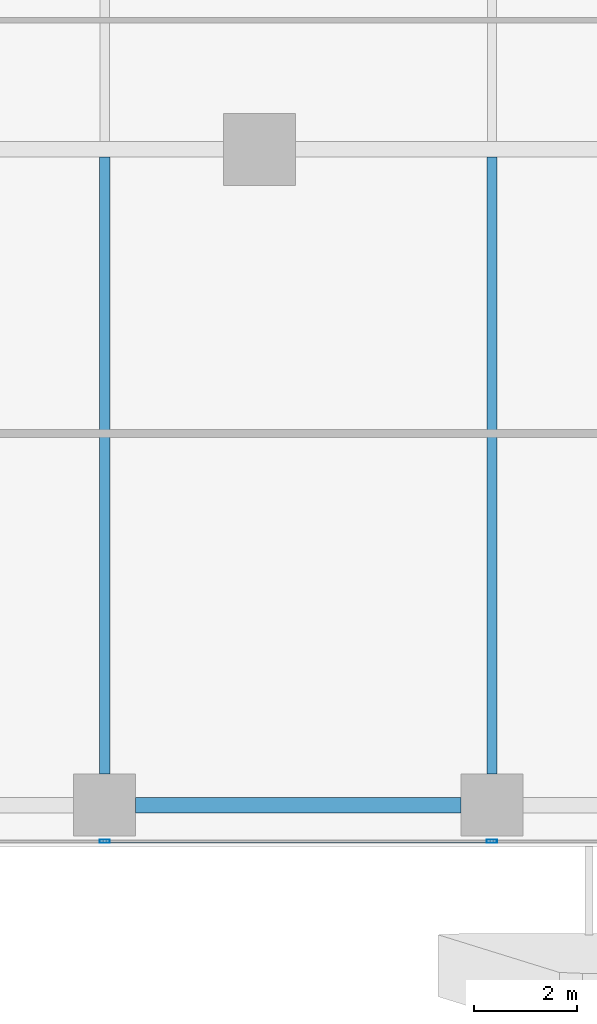
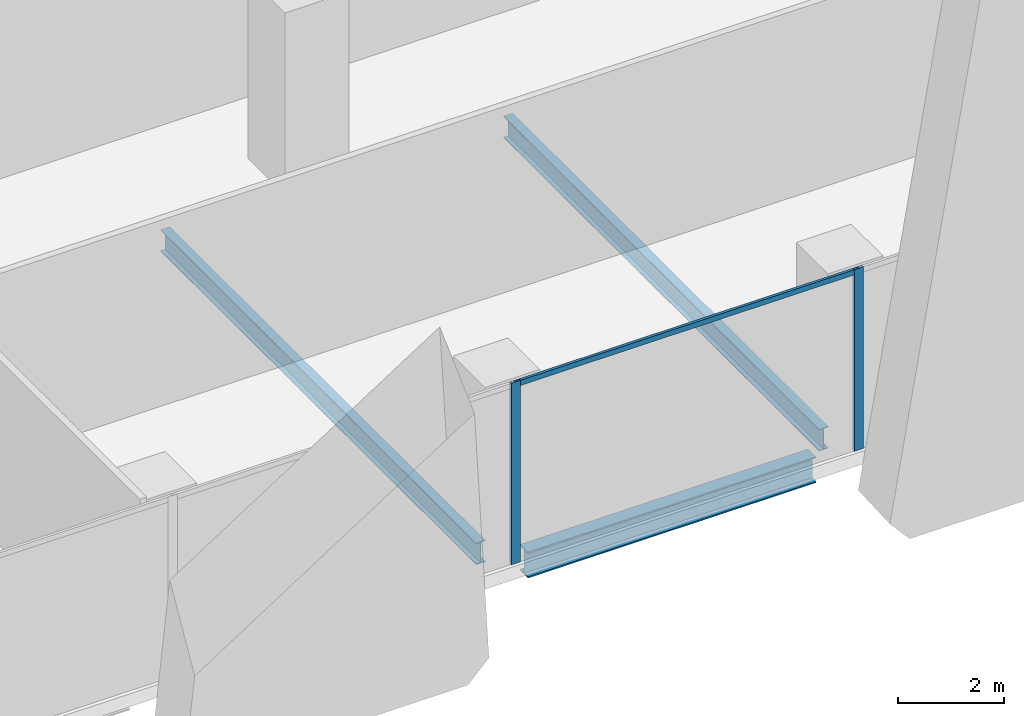
# One storey, part 7 of 34: 3 beams, 3 members, 1 element without a shape of its own.
"""IFC4 building model written with IfcOpenShell, lengths in metres."""

from ifc_helpers import new_model, si_unit, direction, frame, origin, origin_2d, place, context, subcontext, project, spatial, hollow_rectangle, i_section, extrude, source, transform, mapped, material, material_profile, profile_set, type_object, element, aggregate, save


model = new_model("IFC4")

# Units and contexts
model_context = context("Model", 3, precision=1e-05, world=origin(), true_north=direction((0.0, 1.0)))
body_context = subcontext(model_context, "Body", "Model", "MODEL_VIEW")
ifc_project = project(units=[si_unit("LENGTHUNIT", "METRE"), si_unit("AREAUNIT", "SQUARE_METRE"), si_unit("VOLUMEUNIT", "CUBIC_METRE"), si_unit("PLANEANGLEUNIT", "RADIAN"), si_unit("MASSUNIT", "GRAM", prefix="KILO")], contexts=[model_context])

# Site, building, storey
site_placement = place(None, origin())
site = spatial("IfcSite", under=ifc_project, at=site_placement, CompositionType="ELEMENT")
building_placement = place(site_placement, origin())
building = spatial("IfcBuilding", under=site, at=building_placement, Name="Khomas Fold Tower", CompositionType="ELEMENT")
storey_placement = place(building_placement, frame((0.0, 0.0, 51.0)))
storey = spatial("IfcBuildingStorey", under=building, at=storey_placement, Name="L10", CompositionType="ELEMENT", Elevation=51.0)

# Beams
ifc_material_1 = material(Name="Steel S355", Category="steel")
ifc_material_profile_1 = material_profile(ifc_material_1, i_section(OverallWidth=0.300048828125, OverallDepth=0.60009765625, WebThickness=0.015380859375, FlangeThickness=0.030029296875, at=origin_2d()), Name="HE 600 B")
ifc_profile_set_1 = profile_set([ifc_material_profile_1], Name="Steel S355")
beam_type_1 = type_object("IfcBeamType", Name="HE 600 B spandrel SB1", PredefinedType="SPANDREL", material=ifc_profile_set_1)
shared_shape_1 = source(origin(), body_context, "Body", "SweptSolid", [
    extrude(i_section(OverallWidth=0.300048828125, OverallDepth=0.60009765625, WebThickness=0.015380859375, FlangeThickness=0.030029296875, at=origin_2d()), origin(), (0.0, 0.0, 1.0), 6.2998046875),
])
beam_placement = place(storey_placement, frame((35.10009765625, 0.800048828125, -0.60009765625), z_axis=(1.0, 0.0, 0.0), x_axis=(0.0, 1.0, 0.0)))
element("IfcBeam", 1, at=beam_placement, inside=storey, type_object=beam_type_1, Name="SB1", PredefinedType="SPANDREL", context=body_context, shape_type="MappedRepresentation", body=[
    mapped(shared_shape_1, transform((0.0, 0.0, 0.0))),
])
ifc_material_2 = material(Name="Steel S355", Category="steel")
ifc_material_profile_2 = material_profile(ifc_material_2, i_section(OverallWidth=0.199951171875, OverallDepth=0.5, WebThickness=0.01025390625, FlangeThickness=0.01611328125, at=origin_2d()), Name="IPE 500")
ifc_profile_set_2 = profile_set([ifc_material_profile_2], Name="Steel S355")
beam_type_2 = type_object("IfcBeamType", Name="IPE 500 beam JB5", PredefinedType="BEAM", material=ifc_profile_set_2)
shared_shape_2 = source(origin(), body_context, "Body", "SweptSolid", [
    extrude(i_section(OverallWidth=0.199951171875, OverallDepth=0.5, WebThickness=0.01025390625, FlangeThickness=0.01611328125, at=origin_2d()), origin(), (0.0, 0.0, 1.0), 11.9501953125),
])
for number, where, z_axis, x_axis, name in (
    (2, (34.5, 1.39990234375, -0.550048828125), (0.0, 1.0, 0.0), (-1.0, 0.0, 0.0), "JB5"),
    (3, (42.0, 1.39990234375, -0.550048828125), (0.0, 1.0, 0.0), (-1.0, 0.0, 0.0), "JB5"),
):
    element("IfcBeam", number, at=place(storey_placement, frame(where, z_axis=z_axis, x_axis=x_axis)), inside=storey, type_object=beam_type_2, Name=name, PredefinedType="BEAM", context=body_context, shape_type="MappedRepresentation", body=[
        mapped(shared_shape_2, transform((0.0, 0.0, 0.0))),
    ])

# Curtain wall, members
ifc_material_3 = material(Name="Aluminium framed double glazing", Category="aluminium")
curtain_wall_type = type_object("IfcCurtainWallType", Name="SK-Unitised clear-glass wall, growing floors CW1", PredefinedType="NOTDEFINED", material=ifc_material_3)
curtain_wall_placement = place(storey_placement, origin())
curtain_wall = element("IfcCurtainWall", 4, at=curtain_wall_placement, inside=storey, type_object=curtain_wall_type, Name="CW1 run L10 00-0", PredefinedType="NOTDEFINED")
ifc_material_4 = material(Name="Aluminium", Category="aluminium")
ifc_material_profile_3 = material_profile(ifc_material_4, hollow_rectangle(XDim=0.06005859375, YDim=0.1201171875, WallThickness=0.00390625, at=origin_2d()), Name="SK-Unitised clear-glass wall, growing floors transom CW1-T")
ifc_profile_set_3 = profile_set([ifc_material_profile_3], Name="Aluminium")
member_type_1 = type_object("IfcMemberType", Name="SK-Unitised clear-glass wall, growing floors transom CW1-T", PredefinedType="USERDEFINED", material=ifc_profile_set_3)
shared_shape_3 = source(origin(), body_context, "Body", "SweptSolid", [
    extrude(hollow_rectangle(XDim=0.06005859375, YDim=0.1201171875, WallThickness=0.00390625, at=origin_2d()), origin(), (0.0, 0.0, 1.0), 7.43994140625),
])
member_1_placement = place(storey_placement, frame((34.530029296875, 0.10009765625, 4.139892578125), z_axis=(1.0, 0.0, 0.0), x_axis=(0.0, 1.0, 0.0)))
member_1 = element("IfcMember", 5, at=member_1_placement, type_object=member_type_1, Name="CW1 transom 6", ObjectType="TRANSOM", PredefinedType="USERDEFINED", context=body_context, shape_type="MappedRepresentation", body=[
    mapped(shared_shape_3, transform((0.0, 0.0, 0.0))),
])
ifc_material_5 = material(Name="Aluminium", Category="aluminium")
ifc_material_profile_4 = material_profile(ifc_material_5, hollow_rectangle(XDim=0.06005859375, YDim=0.199951171875, WallThickness=0.00390625, at=origin_2d()), Name="SK-Unitised clear-glass wall, growing floors mullion CW1-M")
ifc_profile_set_4 = profile_set([ifc_material_profile_4], Name="Aluminium")
member_type_2 = type_object("IfcMemberType", Name="SK-Unitised clear-glass wall, growing floors mullion CW1-M", PredefinedType="MULLION", material=ifc_profile_set_4)
shared_shape_4 = source(origin(), body_context, "Body", "SweptSolid", [
    extrude(hollow_rectangle(XDim=0.06005859375, YDim=0.199951171875, WallThickness=0.00390625, at=origin_2d()), origin(), (0.0, 0.0, 1.0), 4.199951171875),
])
member_2_placement = place(storey_placement, frame((34.5, 0.10009765625, 0.0), z_axis=(0.0, 0.0, 1.0), x_axis=(0.0, 1.0, 0.0)))
member_2 = element("IfcMember", 6, at=member_2_placement, type_object=member_type_2, Name="CW1 mullion 6", PredefinedType="MULLION", context=body_context, shape_type="MappedRepresentation", body=[
    mapped(shared_shape_4, transform((0.0, 0.0, 0.0))),
])
member_3_placement = place(storey_placement, frame((42.0, 0.10009765625, 0.0), z_axis=(0.0, 0.0, 1.0), x_axis=(0.0, 1.0, 0.0)))
member_3 = element("IfcMember", 7, at=member_3_placement, type_object=member_type_2, Name="CW1 mullion 7", PredefinedType="MULLION", context=body_context, shape_type="MappedRepresentation", body=[
    mapped(shared_shape_4, transform((0.0, 0.0, 0.0))),
])
aggregate(curtain_wall, [member_2, member_3, member_1])

save(model, "model.ifc")
